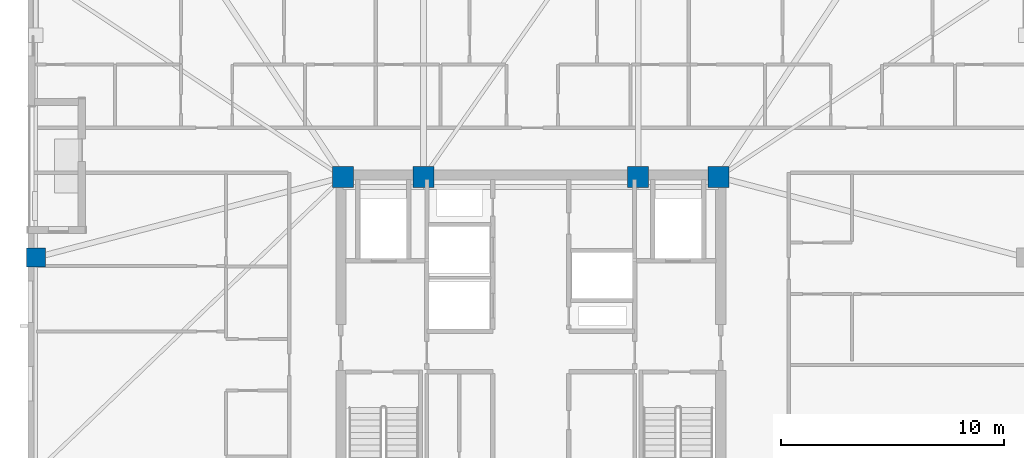
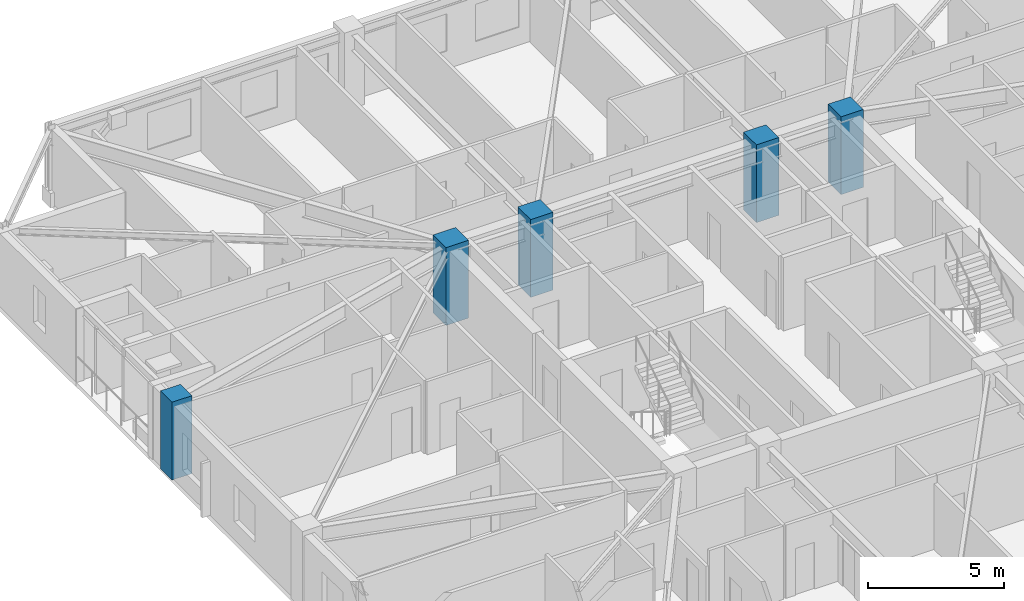
# One storey, part 2 of 17: 5 columns.
"""IFC4 building model written with IfcOpenShell, lengths in metres."""

from ifc_helpers import new_model, si_unit, direction, frame, origin, origin_2d, place, context, subcontext, project, spatial, rectangle, extrude, material, material_profile, profile_set, type_object, element, save


model = new_model("IFC4")

# Units and contexts
model_context = context("Model", 3, precision=1e-05, world=origin(), true_north=direction((0.0, 1.0)))
body_context = subcontext(model_context, "Body", "Model", "MODEL_VIEW")
ifc_project = project(units=[si_unit("LENGTHUNIT", "METRE"), si_unit("AREAUNIT", "SQUARE_METRE"), si_unit("VOLUMEUNIT", "CUBIC_METRE"), si_unit("PLANEANGLEUNIT", "RADIAN"), si_unit("MASSUNIT", "GRAM", prefix="KILO")], contexts=[model_context])

# Site, building, storey
site_placement = place(None, origin())
site = spatial("IfcSite", under=ifc_project, at=site_placement, CompositionType="ELEMENT")
building_placement = place(site_placement, origin())
building = spatial("IfcBuilding", under=site, at=building_placement, Name="Cairnveth Concourse Tower", CompositionType="ELEMENT")
storey_placement = place(building_placement, frame((0.0, 0.0, 230.5)))
storey = spatial("IfcBuildingStorey", under=building, at=storey_placement, Name="L63", CompositionType="ELEMENT", Elevation=230.5)

# Columns
ifc_material = material(Name="Concrete N65 (65 MPa)", Category="concrete")
ifc_material_profile_1 = material_profile(ifc_material, rectangle(XDim=0.949951171875, YDim=0.949951171875, at=origin_2d()), Name="RC-COL-950x950")
ifc_profile_set_1 = profile_set([ifc_material_profile_1], Name="Concrete N65 (65 MPa)")
column_type_1 = type_object("IfcColumnType", Name="CORE COLUMN 950X950", PredefinedType="COLUMN", material=ifc_profile_set_1)
for number, where, z_axis, x_axis, name in (
    (1, (43.60009765625, 47.39990234375, 0.0), (0.0, 0.0, 1.0), (1.0, 0.0, 0.0), "Column CC5 L63"),
    (2, (47.199951171875, 47.39990234375, 0.0), (0.0, 0.0, 1.0), (1.0, 0.0, 0.0), "Column CC6 L63"),
    (3, (56.800048828125, 47.39990234375, 0.0), (0.0, 0.0, 1.0), (1.0, 0.0, 0.0), "Column CC7 L63"),
    (4, (60.39990234375, 47.39990234375, 0.0), (0.0, 0.0, 1.0), (1.0, 0.0, 0.0), "Column CC8 L63"),
):
    element("IfcColumn", number, at=place(storey_placement, frame(where, z_axis=z_axis, x_axis=x_axis)), inside=storey, type_object=column_type_1, Name=name, PredefinedType="COLUMN", context=body_context, shape_type="SweptSolid", body=[
        extrude(rectangle(XDim=0.949951171875, YDim=0.949951171875, at=origin_2d()), origin(), (0.0, 0.0, 1.0), 3.5),
    ])
ifc_material_profile_2 = material_profile(ifc_material, rectangle(XDim=0.85009765625, YDim=0.85009765625, at=origin_2d()), Name="RC-COL-850x850")
ifc_profile_set_2 = profile_set([ifc_material_profile_2], Name="Concrete N65 (65 MPa)")
column_type_2 = type_object("IfcColumnType", Name="PERIMETER PIER COLUMN 850X850", PredefinedType="COLUMN", material=ifc_profile_set_2)
column_placement = place(storey_placement, frame((29.85009765625, 43.800048828125, 0.0), z_axis=(0.0, 0.0, 1.0), x_axis=(0.0, 1.0, 0.0)))
element("IfcColumn", 5, at=column_placement, inside=storey, type_object=column_type_2, Name="Column P-W2 L63", PredefinedType="COLUMN", context=body_context, shape_type="SweptSolid", body=[
    extrude(rectangle(XDim=0.85009765625, YDim=0.85009765625, at=origin_2d()), origin(), (0.0, 0.0, 1.0), 3.5),
])

save(model, "model.ifc")
